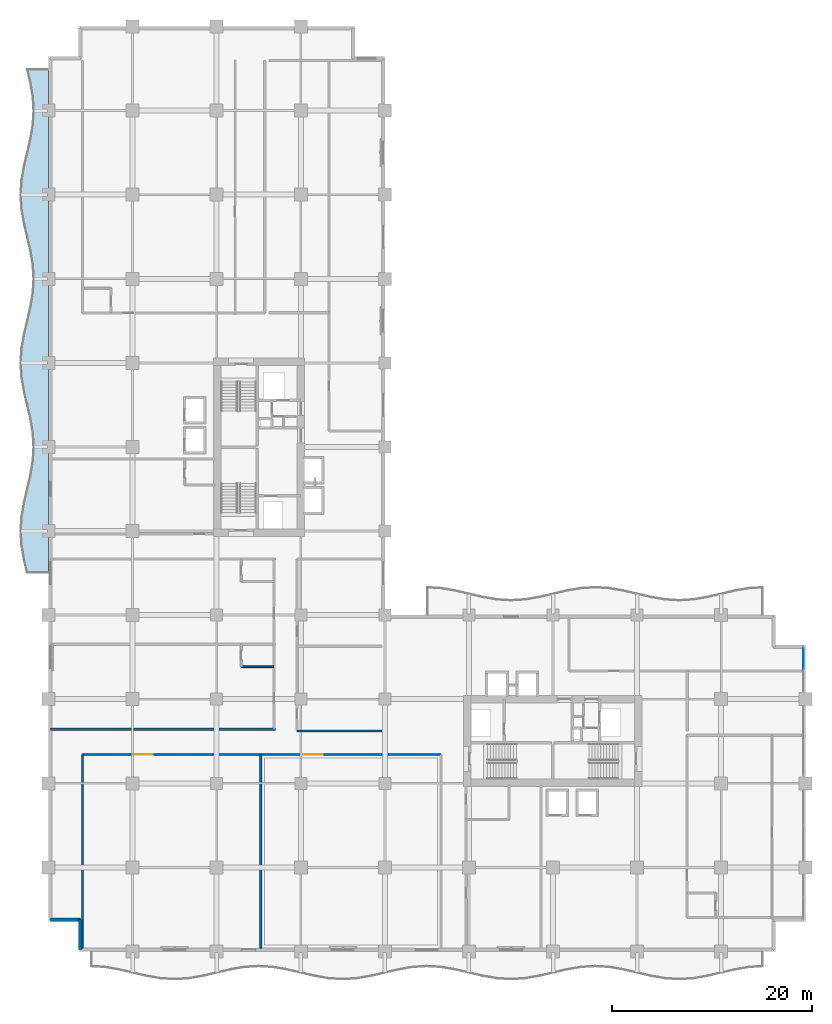
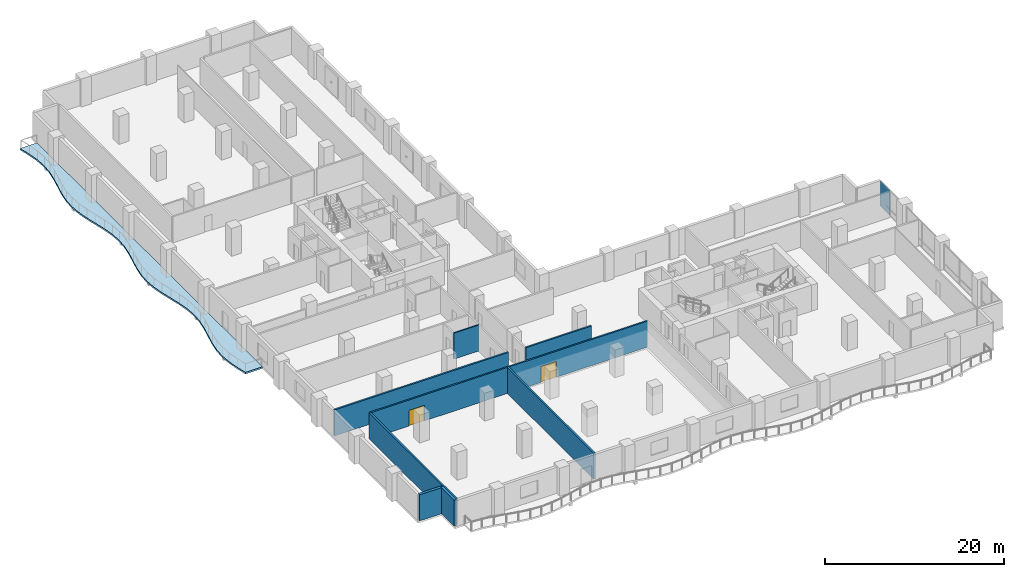
# One storey, part 8 of 23: 8 walls, 2 doors, 2 plates, 1 slab, 2 openings, 1 element without a shape of its own.
"""IFC4 building model written with IfcOpenShell, lengths in metres."""

from ifc_helpers import new_model, si_unit, direction, frame, frame_2d, origin, origin_2d, place, context, subcontext, project, spatial, polyline, rectangle, outline, extrude, material, layer, layer_set, type_object, element, fill, aggregate, save


model = new_model("IFC4")

# Units and contexts
model_context = context("Model", 3, precision=1e-05, world=origin(), true_north=direction((0.0, 1.0)))
body_context = subcontext(model_context, "Body", "Model", "MODEL_VIEW")
ifc_project = project(units=[si_unit("LENGTHUNIT", "METRE"), si_unit("AREAUNIT", "SQUARE_METRE"), si_unit("VOLUMEUNIT", "CUBIC_METRE"), si_unit("PLANEANGLEUNIT", "RADIAN"), si_unit("MASSUNIT", "GRAM", prefix="KILO")], contexts=[model_context])

# Site, building, storey
site_placement = place(None, origin())
site = spatial("IfcSite", under=ifc_project, at=site_placement, CompositionType="ELEMENT")
building_placement = place(site_placement, origin())
building = spatial("IfcBuilding", under=site, at=building_placement, Name="Koriwani Terraces Tower", CompositionType="ELEMENT")
storey_placement = place(building_placement, frame((0.0, 0.0, 134.199951171875)))
storey = spatial("IfcBuildingStorey", under=building, at=storey_placement, Name="L32", CompositionType="ELEMENT", Elevation=134.199951171875)

# Curtain wall, plates
ifc_material_1 = material(Name="Anodised Bronze Aluminium", Category="aluminium")
ifc_layer_1 = layer(ifc_material_1, 0.179931640625, Name="Anodised Bronze Aluminium")
ifc_layer_set_1 = layer_set([ifc_layer_1], Name="Anodised Bronze Aluminium")
curtain_wall_type = type_object("IfcCurtainWallType", Name="CW_HOTEL_ZONE2", PredefinedType="NOTDEFINED", material=ifc_layer_set_1)
curtain_wall_placement = place(storey_placement, origin())
curtain_wall = element("IfcCurtainWall", 1, at=curtain_wall_placement, inside=storey, type_object=curtain_wall_type, Name="L32 Unitised Curtain Wall (E_TIP) Bay 1", PredefinedType="NOTDEFINED")
ifc_material_2 = material(Name="Tempered Laminated Low-E Glass", Category="glass")
ifc_layer_2 = layer(ifc_material_2, 0.028076171875, Name="Tempered Laminated Low-E Glass")
ifc_layer_set_2 = layer_set([ifc_layer_2], Name="Tempered Laminated Low-E Glass")
plate_type = type_object("IfcPlateType", Name="CW_PANEL_VISION_28", PredefinedType="CURTAIN_PANEL", material=ifc_layer_set_2)
plate_1_placement = place(storey_placement, frame((75.425048828125, 29.277587890625, 0.06494140625), z_axis=(0.0, 0.0, 1.0), x_axis=(0.0, -1.0, 0.0)))
plate_1 = element("IfcPlate", 2, at=plate_1_placement, type_object=plate_type, Name="CW-Z2 panel 1.1", PredefinedType="CURTAIN_PANEL", context=body_context, shape_type="SweptSolid", body=[
    extrude(rectangle(XDim=2.14501953125, YDim=0.028076171875, at=origin_2d()), origin(), (0.0, 0.0, 1.0), 0.802490234375),
])
plate_2_placement = place(storey_placement, frame((75.425048828125, 29.277587890625, 0.9326171875), z_axis=(0.0, 0.0, 1.0), x_axis=(0.0, -1.0, 0.0)))
plate_2 = element("IfcPlate", 3, at=plate_2_placement, type_object=plate_type, Name="CW-Z2 panel 1.2", PredefinedType="CURTAIN_PANEL", context=body_context, shape_type="SweptSolid", body=[
    extrude(rectangle(XDim=2.14501953125, YDim=0.028076171875, at=origin_2d()), origin(), (0.0, 0.0, 1.0), 2.552490234375),
])
aggregate(curtain_wall, [plate_1, plate_2])

# Slab
ifc_material_3 = material(Name="Concrete C40/50", Category="concrete")
ifc_layer_3 = layer(ifc_material_3, 0.219970703125, Name="Concrete C40/50")
ifc_layer_set_3 = layer_set([ifc_layer_3], Name="Concrete C40/50")
slab_type = type_object("IfcSlabType", Name="SLAB_BALCONY_220", PredefinedType="FLOOR", material=ifc_layer_set_3)
slab_placement = place(storey_placement, frame((0.0, 0.0, -0.219970703125)))
element("IfcSlab", 4, at=slab_placement, inside=storey, type_object=slab_type, Name="L32 Quilted Circular-Arc Balcony (W)", PredefinedType="FLOOR", context=body_context, shape_type="SweptSolid", body=[
    extrude(outline(polyline([(0.0, 37.800048828125), (0.0, 39.199951171875), (0.0, 40.60009765625), (0.0, 42.0), (0.0, 43.39990234375), (0.0, 44.800048828125), (0.0, 46.199951171875), (0.0, 47.60009765625), (0.0, 49.0), (0.0, 50.39990234375), (0.0, 51.800048828125), (0.0, 53.199951171875), (0.0, 54.60009765625), (0.0, 56.0), (0.0, 57.39990234375), (0.0, 58.800048828125), (0.0, 60.199951171875), (0.0, 61.60009765625), (0.0, 63.0), (0.0, 64.39990234375), (0.0, 65.800048828125), (0.0, 67.199951171875), (0.0, 68.60009765625), (0.0, 70.0), (0.0, 71.39990234375), (0.0, 72.800048828125), (0.0, 74.199951171875), (0.0, 75.60009765625), (0.0, 77.0), (0.0, 78.39990234375), (0.0, 79.800048828125), (0.0, 81.199951171875), (0.0, 82.60009765625), (0.0, 84.0), (0.0, 85.39990234375), (0.0, 86.800048828125), (0.0, 88.199951171875), (-2.199951171875, 88.199951171875), (-1.875, 86.800048828125), (-1.63720703125, 85.39990234375), (-1.550048828125, 84.0), (-1.63720703125, 82.60009765625), (-1.875, 81.199951171875), (-2.199951171875, 79.800048828125), (-2.52490234375, 78.39990234375), (-2.762939453125, 77.0), (-2.85009765625, 75.60009765625), (-2.762939453125, 74.199951171875), (-2.52490234375, 72.800048828125), (-2.199951171875, 71.39990234375), (-1.875, 70.0), (-1.63720703125, 68.60009765625), (-1.550048828125, 67.199951171875), (-1.63720703125, 65.800048828125), (-1.875, 64.39990234375), (-2.199951171875, 63.0), (-2.52490234375, 61.60009765625), (-2.762939453125, 60.199951171875), (-2.85009765625, 58.800048828125), (-2.762939453125, 57.39990234375), (-2.52490234375, 56.0), (-2.199951171875, 54.60009765625), (-1.875, 53.199951171875), (-1.63720703125, 51.800048828125), (-1.550048828125, 50.39990234375), (-1.63720703125, 49.0), (-1.875, 47.60009765625), (-2.199951171875, 46.199951171875), (-2.52490234375, 44.800048828125), (-2.762939453125, 43.39990234375), (-2.85009765625, 42.0), (-2.762939453125, 40.60009765625), (-2.52490234375, 39.199951171875), (-2.199951171875, 37.800048828125), (0.0, 37.800048828125)])), origin(), (0.0, 0.0, 1.0), 0.219970703125),
])

# Wall
ifc_material_4 = material(Name="Autoclaved Cellular Concrete Blockwork", Category="masonry")
ifc_layer_4 = layer(ifc_material_4, 0.199951171875, Name="Autoclaved Cellular Concrete Blockwork")
ifc_layer_set_4 = layer_set([ifc_layer_4], Name="Autoclaved Cellular Concrete Blockwork")
wall_type_1 = type_object("IfcWallType", Name="WALL_CORRIDOR_200", PredefinedType="PARTITIONING", material=ifc_layer_set_4)
wall_1_placement = place(storey_placement, frame((24.800048828125, 22.0, 0.0), z_axis=(0.0, 0.0, 1.0), x_axis=(1.0, 0.0, 0.0)))
element("IfcWall", 5, at=wall_1_placement, inside=storey, type_object=wall_type_1, Name="L32 Interior Wall WIC2-S-L32", PredefinedType="PARTITIONING", context=body_context, shape_type="SweptSolid", body=[
    extrude(rectangle(XDim=8.5, YDim=0.199951171875, at=frame_2d((4.25, 0.0))), origin(), (0.0, 0.0, 1.0), 3.550048828125),
])

# Wall, openings, doors
wall_2_placement = place(storey_placement, frame((3.39990234375, 19.699951171875, 0.0), z_axis=(0.0, 0.0, 1.0), x_axis=(1.0, 0.0, 0.0)))
wall_2 = element("IfcWall", 6, at=wall_2_placement, inside=storey, type_object=wall_type_1, Name="L32 Interior Wall WC2CF-L32", PredefinedType="PARTITIONING", context=body_context, shape_type="SweptSolid", body=[
    extrude(rectangle(XDim=35.800048828125, YDim=0.199951171875, at=frame_2d((17.89990234375, 0.0))), origin(), (0.0, 0.0, 1.0), 3.550048828125),
])
opening_1_placement = place(wall_2_placement, frame((5.0, 0.0, 0.0)))
opening_1 = element("IfcOpeningElement", 7, at=opening_1_placement, cuts=wall_2, Name="Opening D-02", PredefinedType="OPENING", context=body_context, shape_type="SweptSolid", body=[
    extrude(rectangle(XDim=2.0, YDim=2.14990234375, at=frame_2d((1.0, 1.074951171875))), frame((0.0, 0.10986328125, 0.0), z_axis=(0.0, -1.0, 0.0), x_axis=(1.0, 0.0, 0.0)), (0.0, 0.0, 1.0), 0.219970703125),
])
opening_2_placement = place(wall_2_placement, frame((22.0, 0.0, 0.0)))
opening_2 = element("IfcOpeningElement", 8, at=opening_2_placement, cuts=wall_2, Name="Opening D-02", PredefinedType="OPENING", context=body_context, shape_type="SweptSolid", body=[
    extrude(rectangle(XDim=2.0, YDim=2.14990234375, at=frame_2d((1.0, 1.074951171875))), frame((0.0, 0.10986328125, 0.0), z_axis=(0.0, -1.0, 0.0), x_axis=(1.0, 0.0, 0.0)), (0.0, 0.0, 1.0), 0.219970703125),
])
door_type = type_object("IfcDoorType", Name="DOOR_ENTRANCE_DOUBLE_2000X2400", OperationType="NOTDEFINED", PredefinedType="DOOR", material=ifc_material_1)
door_1_placement = place(opening_1_placement, origin())
door_1 = element("IfcDoor", 9, at=door_1_placement, inside=storey, type_object=door_type, Name="L32 Summit Conference Hall Door", OperationType="SINGLE_SWING_RIGHT", OverallHeight=2.14990234375, OverallWidth=2.0, PredefinedType="DOOR", context=body_context, shape_type="SweptSolid", body=[
    extrude(rectangle(XDim=2.0, YDim=2.14990234375, at=frame_2d((1.0, 1.074951171875))), frame((0.0, 0.02490234375, 0.0), z_axis=(0.0, -1.0, 0.0), x_axis=(1.0, 0.0, 0.0)), (0.0, 0.0, 1.0), 0.050048828125),
])
fill(opening_1, door_1)
door_2_placement = place(opening_2_placement, origin())
door_2 = element("IfcDoor", 10, at=door_2_placement, inside=storey, type_object=door_type, Name="L32 Hotel Banquet Salon Door", OperationType="SINGLE_SWING_LEFT", OverallHeight=2.14990234375, OverallWidth=2.0, PredefinedType="DOOR", context=body_context, shape_type="SweptSolid", body=[
    extrude(rectangle(XDim=2.0, YDim=2.14990234375, at=frame_2d((1.0, 1.074951171875))), frame((0.0, 0.02490234375, 0.0), z_axis=(0.0, -1.0, 0.0), x_axis=(1.0, 0.0, 0.0)), (0.0, 0.0, 1.0), 0.050048828125),
])
fill(opening_2, door_2)

# Walls
ifc_layer_5 = layer(ifc_material_4, 0.219970703125, Name="Autoclaved Cellular Concrete Blockwork")
ifc_layer_set_5 = layer_set([ifc_layer_5], Name="Autoclaved Cellular Concrete Blockwork")
wall_type_2 = type_object("IfcWallType", Name="WALL_DEMISING_220", PredefinedType="PARTITIONING", material=ifc_layer_set_5)
for number, where, z_axis, x_axis, name in (
    (11, (3.39990234375, 0.300048828125, 0.0), (0.0, 0.0, 1.0), (0.0, 1.0, 0.0), "L32 Interior Wall WC2CFW-L32"),
    (12, (21.199951171875, 0.300048828125, 0.0), (0.0, 0.0, 1.0), (0.0, 1.0, 0.0), "L32 Interior Wall WC2CFM-L32"),
):
    element("IfcWall", number, at=place(storey_placement, frame(where, z_axis=z_axis, x_axis=x_axis)), inside=storey, type_object=wall_type_2, Name=name, PredefinedType="PARTITIONING", context=body_context, shape_type="SweptSolid", body=[
        extrude(rectangle(XDim=19.39990234375, YDim=0.219970703125, at=frame_2d((9.699951171875, 0.0))), origin(), (0.0, 0.0, 1.0), 3.550048828125),
    ])
wall_3_placement = place(storey_placement, frame((0.199951171875, 22.199951171875, 0.0), z_axis=(0.0, 0.0, 1.0), x_axis=(1.0, 0.0, 0.0)))
element("IfcWall", 13, at=wall_3_placement, inside=storey, type_object=wall_type_2, Name="L32 Interior Wall WDEM-L32-NW-0", PredefinedType="PARTITIONING", context=body_context, shape_type="SweptSolid", body=[
    extrude(rectangle(XDim=22.47998046875, YDim=0.219970703125, at=frame_2d((11.239990234375, 0.0))), origin(), (0.0, 0.0, 1.0), 3.550048828125),
])
ifc_material_5 = material(Name="Concrete C50/60", Category="concrete")
ifc_layer_6 = layer(ifc_material_5, 0.35009765625, Name="Concrete C50/60")
ifc_layer_set_6 = layer_set([ifc_layer_6], Name="Concrete C50/60")
wall_type_3 = type_object("IfcWallType", Name="WALL_EXT_BRUTALIST_350", PredefinedType="STANDARD", material=ifc_layer_set_6)
for number, where, z_axis, x_axis, name in (
    (14, (3.175048828125, 0.175048828125, 0.0), (0.0, 0.0, 1.0), (0.0, 1.0, 0.0), "L32 Fair-Faced Brutalist Exterior Wall (N0)"),
    (15, (3.175048828125, 3.175048828125, 0.0), (0.0, 0.0, 1.0), (-1.0, 0.0, 0.0), "L32 Fair-Faced Brutalist Exterior Wall (N1)"),
):
    element("IfcWall", number, at=place(storey_placement, frame(where, z_axis=z_axis, x_axis=x_axis)), inside=storey, type_object=wall_type_3, Name=name, PredefinedType="STANDARD", context=body_context, shape_type="SweptSolid", body=[
        extrude(rectangle(XDim=3.0, YDim=0.35009765625, at=frame_2d((1.5, 0.0))), origin(), (0.0, 0.0, 1.0), 3.550048828125),
    ])
ifc_material_6 = material(Name="Fire-Rated Acoustic Gypsum Partition", Category="masonry")
ifc_layer_7 = layer(ifc_material_6, 0.179931640625, Name="Fire-Rated Acoustic Gypsum Partition")
ifc_layer_set_7 = layer_set([ifc_layer_7], Name="Fire-Rated Acoustic Gypsum Partition")
wall_type_4 = type_object("IfcWallType", Name="WALL_PLUMBING_180", PredefinedType="PLUMBINGWALL", material=ifc_layer_set_7)
wall_4_placement = place(storey_placement, frame((19.25, 28.449951171875, 0.0), z_axis=(0.0, 0.0, 1.0), x_axis=(1.0, 0.0, 0.0)))
element("IfcWall", 16, at=wall_4_placement, inside=storey, type_object=wall_type_4, Name="L32 Interior Wall WBTH2-L32-NW-0", PredefinedType="PLUMBINGWALL", context=body_context, shape_type="SweptSolid", body=[
    extrude(rectangle(XDim=3.25, YDim=0.179931640625, at=frame_2d((1.625, 0.0))), origin(), (0.0, 0.0, 1.0), 3.550048828125),
])

save(model, "model.ifc")
